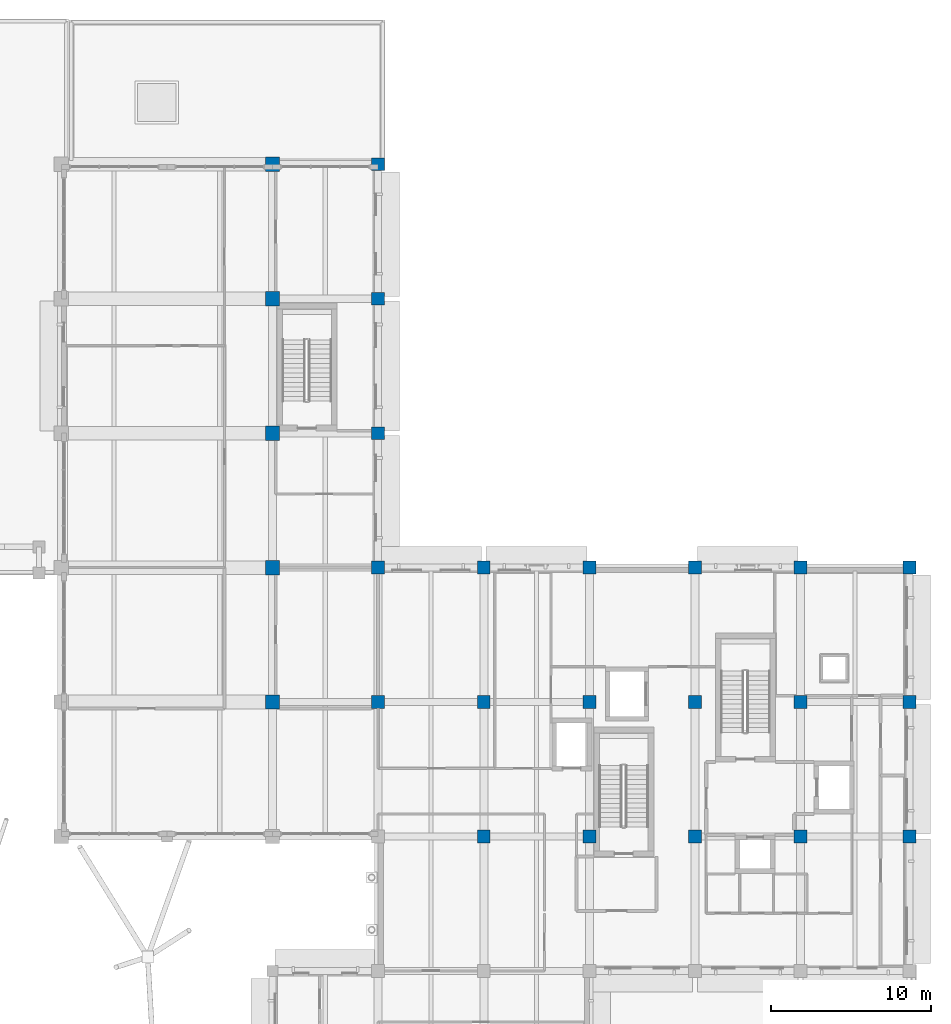
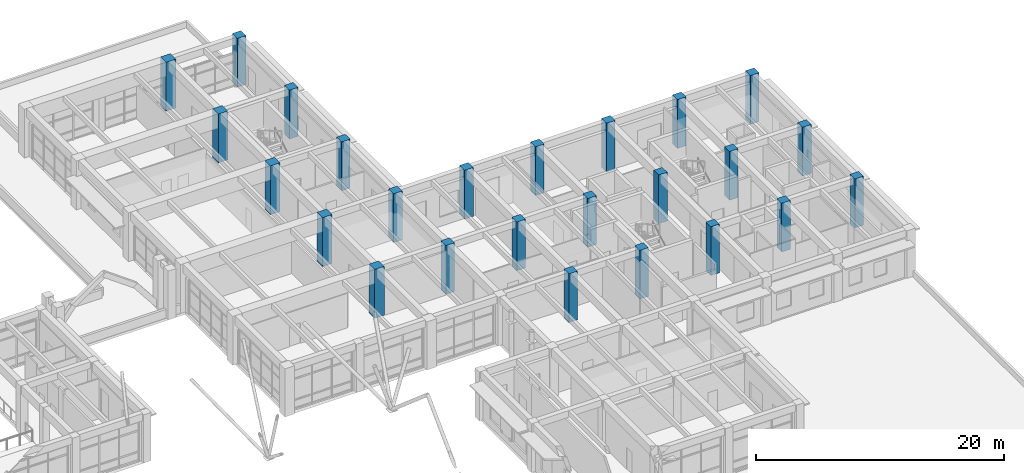
# One storey, part 5 of 75: 25 columns.
"""IFC4 building model written with IfcOpenShell, lengths in metres."""

import ifcopenshell
import ifcopenshell.guid

model = None  # the IFC model being written
_history = None  # IfcOwnerHistory: only IFC2X3 demands one
_inside = {}  # id of a spatial element -> (the spatial element, [elements in it])
_under = {}  # id of a project, library or spatial element -> (it, [spatial elements below it])
_declared = {}  # id of a project -> (the project, [libraries it declares])
_typed = {}  # id of a type object -> (the type object, [elements of that type])
_made_of = {}  # id of a material, layer set ... -> (it, [elements and type objects made of it])


def new_model(schema):
    """Start an empty IFC model of exactly this schema.

    Asked for "IFC4X3", IfcOpenShell would pick the latest addendum, in which some entities
    have other attributes; the version numbers below select the first issue.
    IFC2X3 requires an IfcOwnerHistory on every rooted entity: one is made here for all.
    """
    global model, _history
    if schema == "IFC4X3":
        model = ifcopenshell.file(schema_version=(4, 3, 0, 0))
    else:
        model = ifcopenshell.file(schema=schema)
    _inside.clear()
    _under.clear()
    _declared.clear()
    _typed.clear()
    _made_of.clear()
    _history = None
    if model.schema == "IFC2X3":
        org = make("IfcOrganization", Name="unknown")
        user = make(
            "IfcPersonAndOrganization",
            ThePerson=make("IfcPerson", FamilyName="unknown"),
            TheOrganization=org,
        )
        app = make(
            "IfcApplication",
            ApplicationDeveloper=org,
            Version="unknown",
            ApplicationFullName="unknown",
            ApplicationIdentifier="unknown",
        )
        _history = make(
            "IfcOwnerHistory",
            OwningUser=user,
            OwningApplication=app,
            ChangeAction="ADDED",
            CreationDate=0,
        )
    return model


def make(cls, **values):
    """One entity of the class cls with the attributes given. An attribute that is None is left unset."""
    return model.create_entity(
        cls, **{name: value for name, value in values.items() if value is not None}
    )


def rooted(cls, **values):
    """An entity with a GlobalId (a new one), such as an element, a storey or a relation."""
    return make(cls, GlobalId=ifcopenshell.guid.new(), OwnerHistory=_history, **values)


def si_unit(unit_type, name, prefix=None):
    """IfcSIUnit, for example si_unit("LENGTHUNIT", "METRE", prefix="MILLI")."""
    return make("IfcSIUnit", UnitType=unit_type, Prefix=prefix, Name=name)


def assignment(units):
    """IfcUnitAssignment: the units of a project."""
    return None if units is None else make("IfcUnitAssignment", Units=units)


def point(xyz):
    """IfcCartesianPoint."""
    return None if xyz is None else make("IfcCartesianPoint", Coordinates=xyz)


def direction(xyz):
    """IfcDirection."""
    return None if xyz is None else make("IfcDirection", DirectionRatios=xyz)


def frame(location, z_axis=None, x_axis=None):
    """IfcAxis2Placement3D, a coordinate frame: its origin and axes. An axis left out is left unset."""
    return make(
        "IfcAxis2Placement3D",
        Location=point(location),
        Axis=direction(z_axis),
        RefDirection=direction(x_axis),
    )


def frame_2d(location, x_axis=None):
    """IfcAxis2Placement2D, a coordinate frame in the plane: its origin and x axis."""
    return make(
        "IfcAxis2Placement2D", Location=point(location), RefDirection=direction(x_axis)
    )


def origin():
    """The frame at (0, 0, 0) with its axes left unset."""
    return frame((0.0, 0.0, 0.0))


def origin_2d():
    """The frame at (0, 0) in the plane with its x axis left unset."""
    return frame_2d((0.0, 0.0))


def place(relative_to, where):
    """IfcLocalPlacement: puts the frame where relative to a parent placement (None: the world)."""
    return make(
        "IfcLocalPlacement", PlacementRelTo=relative_to, RelativePlacement=where
    )


def context(
    kind, dimensions, precision=None, world=None, true_north=None, identifier=None
):
    """IfcGeometricRepresentationContext, for example the 3D "Model" context."""
    return make(
        "IfcGeometricRepresentationContext",
        ContextIdentifier=identifier,
        ContextType=kind,
        CoordinateSpaceDimension=dimensions,
        Precision=precision,
        WorldCoordinateSystem=world,
        TrueNorth=true_north,
    )


def subcontext(parent, identifier, kind, view, scale=None):
    """IfcGeometricRepresentationSubContext, for example "Body" below "Model"."""
    return make(
        "IfcGeometricRepresentationSubContext",
        ContextIdentifier=identifier,
        ContextType=kind,
        ParentContext=parent,
        TargetScale=scale,
        TargetView=view,
    )


def project(units=None, contexts=None):
    """IfcProject with its units and contexts."""
    return rooted(
        "IfcProject",
        Name="project",
        RepresentationContexts=contexts,
        UnitsInContext=assignment(units),
    )


def spatial(cls, under=None, at=None, **own):
    """A site, building, storey or space (cls), placed at a placement, below another one or the project."""
    s = rooted(cls, ObjectPlacement=at, **own)
    if under is not None:
        _under.setdefault(under.id(), (under, []))[1].append(s)
    return s


def profile(cls, at=None, kind="AREA", **sizes):
    """A parametric profile (cls). Its sizes go by their IFC names, for example OverallWidth=200.0."""
    return make(cls, ProfileType=kind, Position=at, **sizes)


def rectangle(**sizes):
    """IfcRectangleProfileDef."""
    return profile("IfcRectangleProfileDef", **sizes)


def extrude(swept, where, along, depth):
    """IfcExtrudedAreaSolid: the profile swept, set in the frame where, extruded along a direction by depth."""
    return make(
        "IfcExtrudedAreaSolid",
        SweptArea=swept,
        Position=where,
        ExtrudedDirection=direction(along),
        Depth=depth,
    )


def shape(context_of_items, identifier, shape_type, items):
    """IfcShapeRepresentation: the items that make up one representation, for example the "Body"."""
    return make(
        "IfcShapeRepresentation",
        ContextOfItems=context_of_items,
        RepresentationIdentifier=identifier,
        RepresentationType=shape_type,
        Items=items,
    )


def material(Name=None, Category=None):
    """IfcMaterial."""
    return make("IfcMaterial", Name=Name, Category=Category)


def material_profile(
    of_material, cross_section, Name=None, Category=None, Priority=None
):
    """IfcMaterialProfile: a cross section and its material."""
    return make(
        "IfcMaterialProfile",
        Name=Name,
        Material=of_material,
        Profile=cross_section,
        Priority=Priority,
        Category=Category,
    )


def profile_set(profiles, Name=None, composite=None):
    """IfcMaterialProfileSet."""
    return make(
        "IfcMaterialProfileSet",
        Name=Name,
        MaterialProfiles=profiles,
        CompositeProfile=composite,
    )


def made_of(thing, what):
    """Note that an element or type object is made of a material, layer set ...; save() writes the relation."""
    if what is not None:
        _made_of.setdefault(what.id(), (what, []))[1].append(thing)
    return thing


def type_object(cls, material=None, **own):
    """A type object (cls), such as IfcWallType, which elements share."""
    return made_of(rooted(cls, **own), material)


def element(
    cls,
    number,
    at=None,
    inside=None,
    cuts=None,
    type_object=None,
    material=None,
    context=None,
    identifier="Body",
    shape_type=None,
    held_by="IfcProductDefinitionShape",
    body=None,
    shapes=None,
    **own,
):
    """One element of the class cls, such as IfcWall. Its Tag is "e" and its number.

    at: its placement. inside: the storey or other place that contains it. cuts: it is an
    opening in that element (IfcRelVoidsElement). A single representation is given by context,
    identifier, shape_type and body (its items); several are given by shapes. held_by: the class
    of the entity that holds the representations. save() writes the other relations.
    """
    e = rooted(cls, Tag="e%d" % number, ObjectPlacement=at, **own)
    if body is not None:
        shapes = [shape(context, identifier, shape_type, body)]
    if shapes is not None:
        e.Representation = make(held_by, Representations=shapes)
    if inside is not None:
        _inside.setdefault(inside.id(), (inside, []))[1].append(e)
    if cuts is not None:
        rooted(
            "IfcRelVoidsElement", RelatingBuildingElement=cuts, RelatedOpeningElement=e
        )
    if type_object is not None:
        _typed.setdefault(type_object.id(), (type_object, []))[1].append(e)
    return made_of(e, material)


def aggregate(whole, parts):
    """IfcRelAggregates: a whole, such as a stair, and the parts it consists of."""
    return rooted("IfcRelAggregates", RelatingObject=whole, RelatedObjects=parts)


def save(model, path):
    """Write the relations noted so far, then the file.

    IfcRelAggregates (storeys below a building ...), IfcRelContainedInSpatialStructure (elements
    in a storey), IfcRelDefinesByType, IfcRelAssociatesMaterial and IfcRelDeclares: one each for
    every whole, place, type object, material and project.
    """
    for whole, parts in _under.values():
        aggregate(whole, parts)
    for where, things in _inside.values():
        rooted(
            "IfcRelContainedInSpatialStructure",
            RelatedElements=things,
            RelatingStructure=where,
        )
    for kind, things in _typed.values():
        rooted("IfcRelDefinesByType", RelatedObjects=things, RelatingType=kind)
    for what, things in _made_of.values():
        rooted("IfcRelAssociatesMaterial", RelatedObjects=things, RelatingMaterial=what)
    for by, libraries in _declared.values():
        rooted("IfcRelDeclares", RelatingContext=by, RelatedDefinitions=libraries)
    model.write(path)


model = new_model("IFC4")

# Units and contexts
model_context = context("Model", 3, precision=1e-05, world=origin(), true_north=direction((0.0, 1.0)))
body_context = subcontext(model_context, "Body", "Model", "MODEL_VIEW")
ifc_project = project(units=[si_unit("LENGTHUNIT", "METRE"), si_unit("AREAUNIT", "SQUARE_METRE"), si_unit("VOLUMEUNIT", "CUBIC_METRE"), si_unit("PLANEANGLEUNIT", "RADIAN"), si_unit("MASSUNIT", "GRAM", prefix="KILO")], contexts=[model_context])

# Site, building, storey
site_placement = place(None, origin())
site = spatial("IfcSite", under=ifc_project, at=site_placement, CompositionType="ELEMENT")
building_placement = place(site_placement, origin())
building = spatial("IfcBuilding", under=site, at=building_placement, Name="Kolvaren Faculty of Natural Sciences", CompositionType="ELEMENT")
storey_placement = place(building_placement, frame((0.0, 0.0, 5.39990234375)))
storey = spatial("IfcBuildingStorey", under=building, at=storey_placement, Name="L01", CompositionType="ELEMENT", Elevation=5.39990234375)

# Columns
ifc_material = material(Name="Concrete C40/50", Category="concrete")
ifc_material_profile_1 = material_profile(ifc_material, rectangle(XDim=0.89990234375, YDim=0.89990234375, at=origin_2d()), Name="RC COL 900x900")
ifc_profile_set_1 = profile_set([ifc_material_profile_1], Name="Concrete C40/50")
column_type_1 = type_object("IfcColumnType", Name="MegaColumn_900x900", PredefinedType="COLUMN", material=ifc_profile_set_1)
for number, where, z_axis, x_axis, name in (
    (1, (132.199951171875, 75.800048828125, 0.0), (0.0, 0.0, 1.0), (1.0, 0.0, 0.0), "L01 column MC-1 at 21/K"),
    (2, (132.199951171875, 84.199951171875, 0.0), (0.0, 0.0, 1.0), (1.0, 0.0, 0.0), "L01 column MC-1 at 21/L"),
    (3, (132.199951171875, 92.60009765625, 0.0), (0.0, 0.0, 1.0), (1.0, 0.0, 0.0), "L01 column MC-1 at 21/M"),
    (4, (132.199951171875, 101.0, 0.0), (0.0, 0.0, 1.0), (1.0, 0.0, 0.0), "L01 column MC-1 at 21/N"),
    (5, (132.199951171875, 109.39990234375, 0.0), (0.0, 0.0, 1.0), (1.0, 0.0, 0.0), "L01 column MC-1 at 21/P"),
):
    element("IfcColumn", number, at=place(storey_placement, frame(where, z_axis=z_axis, x_axis=x_axis)), inside=storey, type_object=column_type_1, Name=name, PredefinedType="COLUMN", context=body_context, shape_type="SweptSolid", body=[
        extrude(rectangle(XDim=0.89990234375, YDim=0.89990234375, at=origin_2d()), origin(), (0.0, 0.0, 1.0), 4.800048828125),
    ])
ifc_material_profile_2 = material_profile(ifc_material, rectangle(XDim=0.800048828125, YDim=0.800048828125, at=origin_2d()), Name="RC COL 800x800")
ifc_profile_set_2 = profile_set([ifc_material_profile_2], Name="Concrete C40/50")
column_type_2 = type_object("IfcColumnType", Name="TowerColumn_800x800", PredefinedType="COLUMN", material=ifc_profile_set_2)
for number, where, z_axis, x_axis, name in (
    (6, (138.800048828125, 75.800048828125, 0.0), (0.0, 0.0, 1.0), (1.0, 0.0, 0.0), "L01 column TC-80 at 22/K"),
    (7, (138.800048828125, 84.199951171875, 0.0), (0.0, 0.0, 1.0), (1.0, 0.0, 0.0), "L01 column TC-80 at 22/L"),
    (8, (138.800048828125, 92.60009765625, 0.0), (0.0, 0.0, 1.0), (1.0, 0.0, 0.0), "L01 column TC-80 at 22/M"),
    (9, (138.800048828125, 101.0, 0.0), (0.0, 0.0, 1.0), (1.0, 0.0, 0.0), "L01 column TC-80 at 22/N"),
    (10, (138.800048828125, 109.39990234375, 0.0), (0.0, 0.0, 1.0), (1.0, 0.0, 0.0), "L01 column TC-80 at 22/P"),
    (11, (145.39990234375, 67.39990234375, 0.0), (0.0, 0.0, 1.0), (1.0, 0.0, 0.0), "L01 column TC-80 at 23/J"),
    (12, (145.39990234375, 75.800048828125, 0.0), (0.0, 0.0, 1.0), (1.0, 0.0, 0.0), "L01 column TC-80 at 23/K"),
    (13, (145.39990234375, 84.199951171875, 0.0), (0.0, 0.0, 1.0), (1.0, 0.0, 0.0), "L01 column TC-80 at 23/L"),
    (14, (152.0, 67.39990234375, 0.0), (0.0, 0.0, 1.0), (1.0, 0.0, 0.0), "L01 column TC-80 at 24/J"),
    (15, (152.0, 75.800048828125, 0.0), (0.0, 0.0, 1.0), (1.0, 0.0, 0.0), "L01 column TC-80 at 24/K"),
    (16, (152.0, 84.199951171875, 0.0), (0.0, 0.0, 1.0), (1.0, 0.0, 0.0), "L01 column TC-80 at 24/L"),
    (17, (158.60009765625, 67.39990234375, 0.0), (0.0, 0.0, 1.0), (1.0, 0.0, 0.0), "L01 column TC-80 at 25/J"),
    (18, (158.60009765625, 75.800048828125, 0.0), (0.0, 0.0, 1.0), (1.0, 0.0, 0.0), "L01 column TC-80 at 25/K"),
    (19, (158.60009765625, 84.199951171875, 0.0), (0.0, 0.0, 1.0), (1.0, 0.0, 0.0), "L01 column TC-80 at 25/L"),
    (20, (165.199951171875, 67.39990234375, 0.0), (0.0, 0.0, 1.0), (1.0, 0.0, 0.0), "L01 column TC-80 at 26/J"),
    (21, (165.199951171875, 75.800048828125, 0.0), (0.0, 0.0, 1.0), (1.0, 0.0, 0.0), "L01 column TC-80 at 26/K"),
    (22, (165.199951171875, 84.199951171875, 0.0), (0.0, 0.0, 1.0), (1.0, 0.0, 0.0), "L01 column TC-80 at 26/L"),
    (23, (172.0, 67.39990234375, 0.0), (0.0, 0.0, 1.0), (1.0, 0.0, 0.0), "L01 column TC-80 at 27/J"),
    (24, (172.0, 75.800048828125, 0.0), (0.0, 0.0, 1.0), (1.0, 0.0, 0.0), "L01 column TC-80 at 27/K"),
    (25, (172.0, 84.199951171875, 0.0), (0.0, 0.0, 1.0), (1.0, 0.0, 0.0), "L01 column TC-80 at 27/L"),
):
    element("IfcColumn", number, at=place(storey_placement, frame(where, z_axis=z_axis, x_axis=x_axis)), inside=storey, type_object=column_type_2, Name=name, PredefinedType="COLUMN", context=body_context, shape_type="SweptSolid", body=[
        extrude(rectangle(XDim=0.800048828125, YDim=0.800048828125, at=origin_2d()), origin(), (0.0, 0.0, 1.0), 4.800048828125),
    ])

save(model, "model.ifc")
